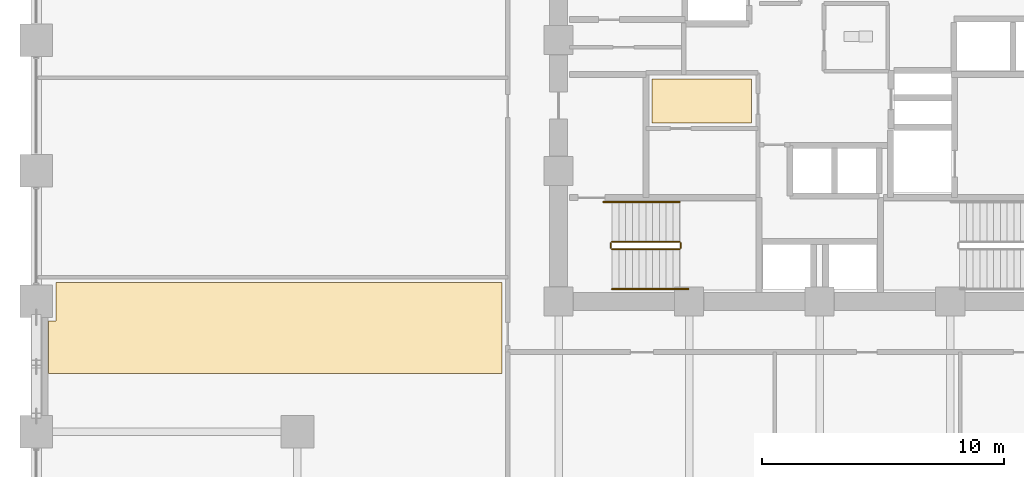
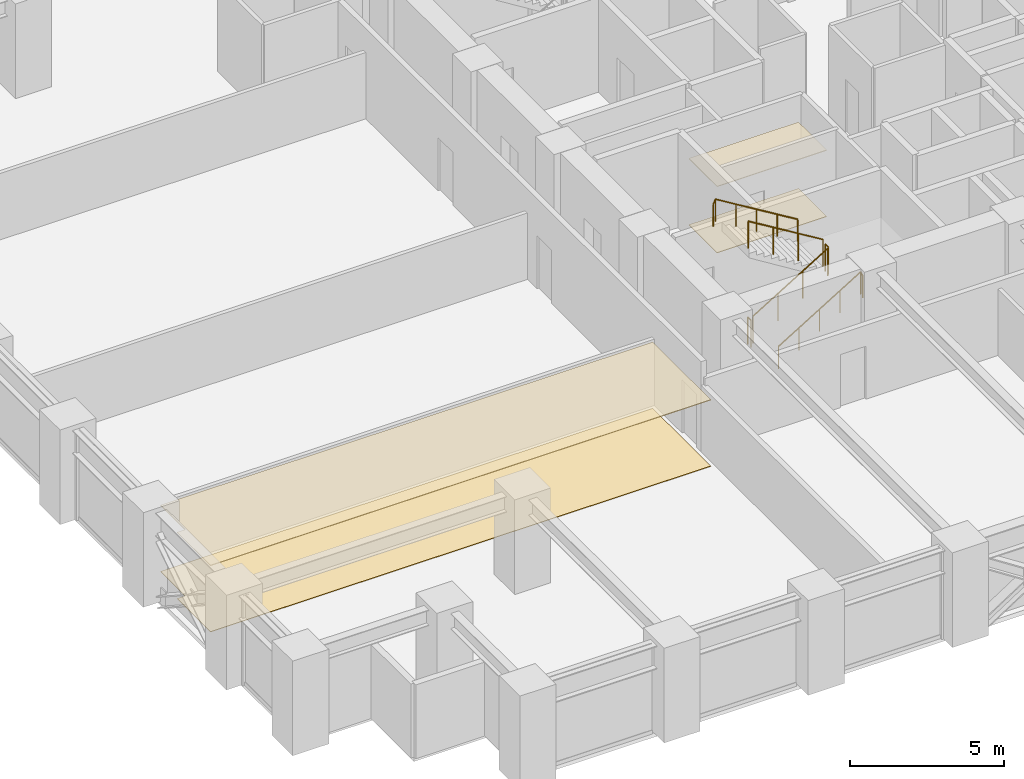
# One storey, part 23 of 25: 6 railings, 4 coverings.
"""IFC4 building model written with IfcOpenShell, lengths in metres."""

import ifcopenshell
import ifcopenshell.guid

model = None  # the IFC model being written
_history = None  # IfcOwnerHistory: only IFC2X3 demands one
_inside = {}  # id of a spatial element -> (the spatial element, [elements in it])
_under = {}  # id of a project, library or spatial element -> (it, [spatial elements below it])
_declared = {}  # id of a project -> (the project, [libraries it declares])
_typed = {}  # id of a type object -> (the type object, [elements of that type])
_made_of = {}  # id of a material, layer set ... -> (it, [elements and type objects made of it])


def new_model(schema):
    """Start an empty IFC model of exactly this schema.

    Asked for "IFC4X3", IfcOpenShell would pick the latest addendum, in which some entities
    have other attributes; the version numbers below select the first issue.
    IFC2X3 requires an IfcOwnerHistory on every rooted entity: one is made here for all.
    """
    global model, _history
    if schema == "IFC4X3":
        model = ifcopenshell.file(schema_version=(4, 3, 0, 0))
    else:
        model = ifcopenshell.file(schema=schema)
    _inside.clear()
    _under.clear()
    _declared.clear()
    _typed.clear()
    _made_of.clear()
    _history = None
    if model.schema == "IFC2X3":
        org = make("IfcOrganization", Name="unknown")
        user = make(
            "IfcPersonAndOrganization",
            ThePerson=make("IfcPerson", FamilyName="unknown"),
            TheOrganization=org,
        )
        app = make(
            "IfcApplication",
            ApplicationDeveloper=org,
            Version="unknown",
            ApplicationFullName="unknown",
            ApplicationIdentifier="unknown",
        )
        _history = make(
            "IfcOwnerHistory",
            OwningUser=user,
            OwningApplication=app,
            ChangeAction="ADDED",
            CreationDate=0,
        )
    return model


def make(cls, **values):
    """One entity of the class cls with the attributes given. An attribute that is None is left unset."""
    return model.create_entity(
        cls, **{name: value for name, value in values.items() if value is not None}
    )


def rooted(cls, **values):
    """An entity with a GlobalId (a new one), such as an element, a storey or a relation."""
    return make(cls, GlobalId=ifcopenshell.guid.new(), OwnerHistory=_history, **values)


def si_unit(unit_type, name, prefix=None):
    """IfcSIUnit, for example si_unit("LENGTHUNIT", "METRE", prefix="MILLI")."""
    return make("IfcSIUnit", UnitType=unit_type, Prefix=prefix, Name=name)


def assignment(units):
    """IfcUnitAssignment: the units of a project."""
    return None if units is None else make("IfcUnitAssignment", Units=units)


def point(xyz):
    """IfcCartesianPoint."""
    return None if xyz is None else make("IfcCartesianPoint", Coordinates=xyz)


def direction(xyz):
    """IfcDirection."""
    return None if xyz is None else make("IfcDirection", DirectionRatios=xyz)


def frame(location, z_axis=None, x_axis=None):
    """IfcAxis2Placement3D, a coordinate frame: its origin and axes. An axis left out is left unset."""
    return make(
        "IfcAxis2Placement3D",
        Location=point(location),
        Axis=direction(z_axis),
        RefDirection=direction(x_axis),
    )


def frame_2d(location, x_axis=None):
    """IfcAxis2Placement2D, a coordinate frame in the plane: its origin and x axis."""
    return make(
        "IfcAxis2Placement2D", Location=point(location), RefDirection=direction(x_axis)
    )


def origin():
    """The frame at (0, 0, 0) with its axes left unset."""
    return frame((0.0, 0.0, 0.0))


def origin_2d():
    """The frame at (0, 0) in the plane with its x axis left unset."""
    return frame_2d((0.0, 0.0))


def place(relative_to, where):
    """IfcLocalPlacement: puts the frame where relative to a parent placement (None: the world)."""
    return make(
        "IfcLocalPlacement", PlacementRelTo=relative_to, RelativePlacement=where
    )


def context(
    kind, dimensions, precision=None, world=None, true_north=None, identifier=None
):
    """IfcGeometricRepresentationContext, for example the 3D "Model" context."""
    return make(
        "IfcGeometricRepresentationContext",
        ContextIdentifier=identifier,
        ContextType=kind,
        CoordinateSpaceDimension=dimensions,
        Precision=precision,
        WorldCoordinateSystem=world,
        TrueNorth=true_north,
    )


def subcontext(parent, identifier, kind, view, scale=None):
    """IfcGeometricRepresentationSubContext, for example "Body" below "Model"."""
    return make(
        "IfcGeometricRepresentationSubContext",
        ContextIdentifier=identifier,
        ContextType=kind,
        ParentContext=parent,
        TargetScale=scale,
        TargetView=view,
    )


def project(units=None, contexts=None):
    """IfcProject with its units and contexts."""
    return rooted(
        "IfcProject",
        Name="project",
        RepresentationContexts=contexts,
        UnitsInContext=assignment(units),
    )


def spatial(cls, under=None, at=None, **own):
    """A site, building, storey or space (cls), placed at a placement, below another one or the project."""
    s = rooted(cls, ObjectPlacement=at, **own)
    if under is not None:
        _under.setdefault(under.id(), (under, []))[1].append(s)
    return s


def polyline(points):
    """IfcPolyline through the points."""
    return make("IfcPolyline", Points=[point(p) for p in points])


def profile(cls, at=None, kind="AREA", **sizes):
    """A parametric profile (cls). Its sizes go by their IFC names, for example OverallWidth=200.0."""
    return make(cls, ProfileType=kind, Position=at, **sizes)


def circle(**sizes):
    """IfcCircleProfileDef."""
    return profile("IfcCircleProfileDef", **sizes)


def outline(outer, holes=None, kind="AREA"):
    """IfcArbitraryClosedProfileDef: a profile drawn as a closed curve; with holes, ...WithVoids."""
    if holes is None:
        return make("IfcArbitraryClosedProfileDef", ProfileType=kind, OuterCurve=outer)
    return make(
        "IfcArbitraryProfileDefWithVoids",
        ProfileType=kind,
        OuterCurve=outer,
        InnerCurves=holes,
    )


def extrude(swept, where, along, depth):
    """IfcExtrudedAreaSolid: the profile swept, set in the frame where, extruded along a direction by depth."""
    return make(
        "IfcExtrudedAreaSolid",
        SweptArea=swept,
        Position=where,
        ExtrudedDirection=direction(along),
        Depth=depth,
    )


def shape(context_of_items, identifier, shape_type, items):
    """IfcShapeRepresentation: the items that make up one representation, for example the "Body"."""
    return make(
        "IfcShapeRepresentation",
        ContextOfItems=context_of_items,
        RepresentationIdentifier=identifier,
        RepresentationType=shape_type,
        Items=items,
    )


def material(Name=None, Category=None):
    """IfcMaterial."""
    return make("IfcMaterial", Name=Name, Category=Category)


def layer(
    of_material, thickness, ventilated=None, Name=None, Category=None, Priority=None
):
    """IfcMaterialLayer: one layer of a wall or slab, of a material (None: an air gap)."""
    return make(
        "IfcMaterialLayer",
        Material=of_material,
        LayerThickness=thickness,
        IsVentilated=ventilated,
        Name=Name,
        Category=Category,
        Priority=Priority,
    )


def layer_set(layers, Name=None):
    """IfcMaterialLayerSet."""
    return make("IfcMaterialLayerSet", MaterialLayers=layers, LayerSetName=Name)


def made_of(thing, what):
    """Note that an element or type object is made of a material, layer set ...; save() writes the relation."""
    if what is not None:
        _made_of.setdefault(what.id(), (what, []))[1].append(thing)
    return thing


def type_object(cls, material=None, **own):
    """A type object (cls), such as IfcWallType, which elements share."""
    return made_of(rooted(cls, **own), material)


def element(
    cls,
    number,
    at=None,
    inside=None,
    cuts=None,
    type_object=None,
    material=None,
    context=None,
    identifier="Body",
    shape_type=None,
    held_by="IfcProductDefinitionShape",
    body=None,
    shapes=None,
    **own,
):
    """One element of the class cls, such as IfcWall. Its Tag is "e" and its number.

    at: its placement. inside: the storey or other place that contains it. cuts: it is an
    opening in that element (IfcRelVoidsElement). A single representation is given by context,
    identifier, shape_type and body (its items); several are given by shapes. held_by: the class
    of the entity that holds the representations. save() writes the other relations.
    """
    e = rooted(cls, Tag="e%d" % number, ObjectPlacement=at, **own)
    if body is not None:
        shapes = [shape(context, identifier, shape_type, body)]
    if shapes is not None:
        e.Representation = make(held_by, Representations=shapes)
    if inside is not None:
        _inside.setdefault(inside.id(), (inside, []))[1].append(e)
    if cuts is not None:
        rooted(
            "IfcRelVoidsElement", RelatingBuildingElement=cuts, RelatedOpeningElement=e
        )
    if type_object is not None:
        _typed.setdefault(type_object.id(), (type_object, []))[1].append(e)
    return made_of(e, material)


def aggregate(whole, parts):
    """IfcRelAggregates: a whole, such as a stair, and the parts it consists of."""
    return rooted("IfcRelAggregates", RelatingObject=whole, RelatedObjects=parts)


def save(model, path):
    """Write the relations noted so far, then the file.

    IfcRelAggregates (storeys below a building ...), IfcRelContainedInSpatialStructure (elements
    in a storey), IfcRelDefinesByType, IfcRelAssociatesMaterial and IfcRelDeclares: one each for
    every whole, place, type object, material and project.
    """
    for whole, parts in _under.values():
        aggregate(whole, parts)
    for where, things in _inside.values():
        rooted(
            "IfcRelContainedInSpatialStructure",
            RelatedElements=things,
            RelatingStructure=where,
        )
    for kind, things in _typed.values():
        rooted("IfcRelDefinesByType", RelatedObjects=things, RelatingType=kind)
    for what, things in _made_of.values():
        rooted("IfcRelAssociatesMaterial", RelatedObjects=things, RelatingMaterial=what)
    for by, libraries in _declared.values():
        rooted("IfcRelDeclares", RelatingContext=by, RelatedDefinitions=libraries)
    model.write(path)


model = new_model("IFC4")

# Units and contexts
model_context = context("Model", 3, precision=1e-05, world=origin(), true_north=direction((0.0, 1.0)))
body_context = subcontext(model_context, "Body", "Model", "MODEL_VIEW")
ifc_project = project(units=[si_unit("LENGTHUNIT", "METRE"), si_unit("AREAUNIT", "SQUARE_METRE"), si_unit("VOLUMEUNIT", "CUBIC_METRE"), si_unit("PLANEANGLEUNIT", "RADIAN"), si_unit("MASSUNIT", "GRAM", prefix="KILO")], contexts=[model_context])

# Site, building, storey
site_placement = place(None, origin())
site = spatial("IfcSite", under=ifc_project, at=site_placement, CompositionType="ELEMENT")
building_placement = place(site_placement, origin())
building = spatial("IfcBuilding", under=site, at=building_placement, Name="Surkhivell Harbour Commons", CompositionType="ELEMENT")
storey_placement = place(building_placement, frame((0.0, 0.0, 45.0)))
storey = spatial("IfcBuildingStorey", under=building, at=storey_placement, Name="L11", CompositionType="ELEMENT", Elevation=45.0)

# Coverings
ifc_material_1 = material(Name="Perforated acoustic mineral-fibre ceiling tile", Category="other")
ifc_layer_1 = layer(ifc_material_1, 0.02490234375)
ifc_layer_set_1 = layer_set([ifc_layer_1], Name="Perforated acoustic mineral-fibre ceiling tile")
covering_type_1 = type_object("IfcCoveringType", Name="COV-CEIL-AC", PredefinedType="CEILING", material=ifc_layer_set_1)
covering_1_placement = place(storey_placement, frame((0.0, 0.0, 2.6240234375)))
element("IfcCovering", 1, at=covering_1_placement, inside=storey, type_object=covering_type_1, Name="L11 Suspended Acoustic Ceiling 1", PredefinedType="CEILING", context=body_context, shape_type="SweptSolid", body=[
    extrude(outline(polyline([(-6.929931640625, -3.429931640625), (-2.820068359375, -3.429931640625), (-2.820068359375, -1.60009765625), (-6.929931640625, -1.60009765625), (-6.929931640625, -3.429931640625)])), origin(), (0.0, 0.0, 1.0), 0.02490234375),
])
ifc_material_2 = material(Name="Moisture-resistant gypsum acoustic ceiling board", Category="other")
ifc_layer_2 = layer(ifc_material_2, 0.030029296875)
ifc_layer_set_2 = layer_set([ifc_layer_2], Name="Moisture-resistant gypsum acoustic ceiling board")
covering_type_2 = type_object("IfcCoveringType", Name="COV-CEIL-GYP", PredefinedType="CEILING", material=ifc_layer_set_2)
covering_2_placement = place(storey_placement, frame((0.0, 0.0, 2.618896484375)))
element("IfcCovering", 2, at=covering_2_placement, inside=storey, type_object=covering_type_2, Name="L11 Suspended Acoustic Ceiling 2", PredefinedType="CEILING", context=body_context, shape_type="SweptSolid", body=[
    extrude(outline(polyline([(-31.5849609375, -10.014892578125), (-31.5849609375, -11.614990234375), (-31.889892578125, -11.614990234375), (-31.889892578125, -13.780029296875), (-13.139892578125, -13.780029296875), (-13.139892578125, -10.014892578125), (-31.5849609375, -10.014892578125)])), origin(), (0.0, 0.0, 1.0), 0.030029296875),
])
ifc_material_3 = material(Name="Engineered acoustic oak timber flooring", Category="wood")
ifc_layer_3 = layer(ifc_material_3, 0.02001953125)
ifc_layer_set_3 = layer_set([ifc_layer_3], Name="Engineered acoustic oak timber flooring")
covering_type_3 = type_object("IfcCoveringType", Name="COV-FLR-TIM", PredefinedType="FLOORING", material=ifc_layer_set_3)
covering_3_placement = place(storey_placement, origin())
element("IfcCovering", 3, at=covering_3_placement, inside=storey, type_object=covering_type_3, Name="L11 Interior Floor Finish 1", PredefinedType="FLOORING", context=body_context, shape_type="SweptSolid", body=[
    extrude(outline(polyline([(-6.929931640625, -3.429931640625), (-2.820068359375, -3.429931640625), (-2.820068359375, -1.60009765625), (-6.929931640625, -1.60009765625), (-6.929931640625, -3.429931640625)])), origin(), (0.0, 0.0, 1.0), 0.02001953125),
])
covering_4_placement = place(storey_placement, origin())
element("IfcCovering", 4, at=covering_4_placement, inside=storey, type_object=covering_type_3, Name="L11 Interior Floor Finish 2", PredefinedType="FLOORING", context=body_context, shape_type="SweptSolid", body=[
    extrude(outline(polyline([(-31.5849609375, -10.014892578125), (-31.5849609375, -11.614990234375), (-31.889892578125, -11.614990234375), (-31.889892578125, -13.780029296875), (-13.139892578125, -13.780029296875), (-13.139892578125, -10.014892578125), (-31.5849609375, -10.014892578125)])), origin(), (0.0, 0.0, 1.0), 0.02001953125),
])

# Railings
ifc_material_4 = material(Name="Galvanised and painted steel S355 guard rail", Category="steel")
railing_type_1 = type_object("IfcRailingType", Name="RAL-ST-GRD1100", PredefinedType="GUARDRAIL", material=ifc_material_4)
railing_1_placement = place(storey_placement, frame((-8.590087890625, -8.639892578125, 0.17041015625)))
element("IfcRailing", 5, at=railing_1_placement, inside=storey, type_object=railing_type_1, Name="L11 ST3 stair guard 1", PredefinedType="GUARDRAIL", context=body_context, shape_type="SweptSolid", body=[
    extrude(circle(Radius=0.02392578125, at=origin_2d()), frame((0.0, 0.0, 1.076171875), z_axis=(0.854169791009, 0.0, 0.51999420009), x_axis=(0.0, 1.0, 0.0)), (0.0, 0.0, 1.0), 3.278076171875),
    extrude(circle(Radius=0.02099609375, at=origin_2d()), origin(), (0.0, 0.0, 1.0), 1.052001953125),
    extrude(circle(Radius=0.02099609375, at=origin_2d()), frame((0.933349609375, 0.0, 0.568115234375)), (0.0, 0.0, 1.0), 1.052001953125),
    extrude(circle(Radius=0.02099609375, at=origin_2d()), frame((1.86669921875, 0.0, 1.136474609375)), (0.0, 0.0, 1.0), 1.052001953125),
    extrude(circle(Radius=0.02099609375, at=origin_2d()), frame((2.800048828125, 0.0, 1.70458984375)), (0.0, 0.0, 1.0), 1.052001953125),
])
railing_2_placement = place(storey_placement, frame((-5.739990234375, -8.590087890625, 1.875)))
element("IfcRailing", 6, at=railing_2_placement, inside=storey, type_object=railing_type_1, Name="L11 ST3 stair guard 2", PredefinedType="GUARDRAIL", context=body_context, shape_type="SweptSolid", body=[
    extrude(circle(Radius=0.02392578125, at=origin_2d()), frame((0.0, 0.0, 1.076171875), z_axis=(0.0, 1.0, 0.0), x_axis=(-1.0, 0.0, 0.0)), (0.0, 0.0, 1.0), 0.2001953125),
    extrude(circle(Radius=0.02099609375, at=origin_2d()), origin(), (0.0, 0.0, 1.0), 1.052001953125),
    extrude(circle(Radius=0.02099609375, at=origin_2d()), frame((0.0, 0.2001953125, 0.0)), (0.0, 0.0, 1.0), 1.052001953125),
])
railing_3_placement = place(storey_placement, frame((-5.7900390625, -8.340087890625, 2.04541015625)))
element("IfcRailing", 7, at=railing_3_placement, inside=storey, type_object=railing_type_1, Name="L11 ST3 stair guard 3", PredefinedType="GUARDRAIL", context=body_context, shape_type="SweptSolid", body=[
    extrude(circle(Radius=0.02392578125, at=origin_2d()), frame((0.0, 0.0, 1.076171875), z_axis=(-0.854169791009, 0.0, 0.51999420009), x_axis=(0.0, -1.0, 0.0)), (0.0, 0.0, 1.0), 3.278076171875),
    extrude(circle(Radius=0.02099609375, at=origin_2d()), origin(), (0.0, 0.0, 1.0), 1.052001953125),
    extrude(circle(Radius=0.02099609375, at=origin_2d()), frame((-0.933349609375, 0.0, 0.568115234375)), (0.0, 0.0, 1.0), 1.052001953125),
    extrude(circle(Radius=0.02099609375, at=origin_2d()), frame((-1.86669921875, 0.0, 1.136474609375)), (0.0, 0.0, 1.0), 1.052001953125),
    extrude(circle(Radius=0.02099609375, at=origin_2d()), frame((-2.800048828125, 0.0, 1.70458984375)), (0.0, 0.0, 1.0), 1.052001953125),
])
railing_4_placement = place(storey_placement, frame((-8.639892578125, -8.590087890625, 0.0)))
element("IfcRailing", 8, at=railing_4_placement, inside=storey, type_object=railing_type_1, Name="L11 ST3 stair guard 4", PredefinedType="GUARDRAIL", context=body_context, shape_type="SweptSolid", body=[
    extrude(circle(Radius=0.02392578125, at=origin_2d()), frame((0.0, 0.0, 1.076171875), z_axis=(0.0, 1.0, 0.0), x_axis=(-1.0, 0.0, 0.0)), (0.0, 0.0, 1.0), 0.2001953125),
    extrude(circle(Radius=0.02099609375, at=origin_2d()), origin(), (0.0, 0.0, 1.0), 1.052001953125),
    extrude(circle(Radius=0.02099609375, at=origin_2d()), frame((0.0, 0.2001953125, 0.0)), (0.0, 0.0, 1.0), 1.052001953125),
])
ifc_material_5 = material(Name="Brushed stainless steel S355 handrail", Category="steel")
railing_type_2 = type_object("IfcRailingType", Name="RAL-ST-HND900", PredefinedType="HANDRAIL", material=ifc_material_5)
railing_5_placement = place(storey_placement, frame((-8.590087890625, -10.2900390625, 0.17041015625)))
element("IfcRailing", 9, at=railing_5_placement, inside=storey, type_object=railing_type_2, Name="L11 ST3 stair handrail 1", PredefinedType="HANDRAIL", context=body_context, shape_type="SweptSolid", body=[
    extrude(circle(Radius=0.02392578125, at=origin_2d()), frame((0.0, 0.0, 0.8759765625), z_axis=(0.854177636135, 0.0, 0.519981313056), x_axis=(0.0, 1.0, 0.0)), (0.0, 0.0, 1.0), 3.60595703125),
    extrude(circle(Radius=0.02392578125, at=origin_2d()), frame((3.080078125, 0.0, 2.7509765625), z_axis=(0.425297416671, 0.0, -0.905053648892), x_axis=(0.0, 1.0, 0.0)), (0.0, 0.0, 1.0), 0.188232421875),
    extrude(circle(Radius=0.02099609375, at=origin_2d()), origin(), (0.0, 0.0, 1.0), 0.851806640625),
    extrude(circle(Radius=0.02099609375, at=origin_2d()), frame((0.77001953125, 0.0, 0.46875)), (0.0, 0.0, 1.0), 0.851806640625),
    extrude(circle(Radius=0.02099609375, at=origin_2d()), frame((1.5400390625, 0.0, 0.9375)), (0.0, 0.0, 1.0), 0.851806640625),
    extrude(circle(Radius=0.02099609375, at=origin_2d()), frame((2.31005859375, 0.0, 1.40625)), (0.0, 0.0, 1.0), 0.851806640625),
    extrude(circle(Radius=0.02099609375, at=origin_2d()), frame((3.080078125, 0.0, 1.875)), (0.0, 0.0, 1.0), 0.851806640625),
    extrude(circle(Radius=0.02099609375, at=origin_2d()), frame((3.16015625, 0.0, 1.70458984375)), (0.0, 0.0, 1.0), 0.851806640625),
])
railing_6_placement = place(storey_placement, frame((-5.7900390625, -6.68994140625, 2.04541015625)))
element("IfcRailing", 10, at=railing_6_placement, inside=storey, type_object=railing_type_2, Name="L11 ST3 stair handrail 2", PredefinedType="HANDRAIL", context=body_context, shape_type="SweptSolid", body=[
    extrude(circle(Radius=0.02392578125, at=origin_2d()), frame((0.0, 0.0, 0.8759765625), z_axis=(-0.854177636135, 0.0, 0.519981313056), x_axis=(0.0, -1.0, 0.0)), (0.0, 0.0, 1.0), 3.60595703125),
    extrude(circle(Radius=0.02392578125, at=origin_2d()), frame((-3.080078125, 0.0, 2.7509765625), z_axis=(-0.424234432967, 0.0, -0.905552398199), x_axis=(0.0, -1.0, 0.0)), (0.0, 0.0, 1.0), 0.188232421875),
    extrude(circle(Radius=0.02099609375, at=origin_2d()), origin(), (0.0, 0.0, 1.0), 0.851806640625),
    extrude(circle(Radius=0.02099609375, at=origin_2d()), frame((-0.77001953125, 0.0, 0.46875)), (0.0, 0.0, 1.0), 0.851806640625),
    extrude(circle(Radius=0.02099609375, at=origin_2d()), frame((-1.5400390625, 0.0, 0.9375)), (0.0, 0.0, 1.0), 0.851806640625),
    extrude(circle(Radius=0.02099609375, at=origin_2d()), frame((-2.31005859375, 0.0, 1.40625)), (0.0, 0.0, 1.0), 0.851806640625),
    extrude(circle(Radius=0.02099609375, at=origin_2d()), frame((-3.080078125, 0.0, 1.875)), (0.0, 0.0, 1.0), 0.851806640625),
    extrude(circle(Radius=0.02099609375, at=origin_2d()), frame((-3.159912109375, 0.0, 1.70458984375)), (0.0, 0.0, 1.0), 0.851806640625),
])

save(model, "model.ifc")
